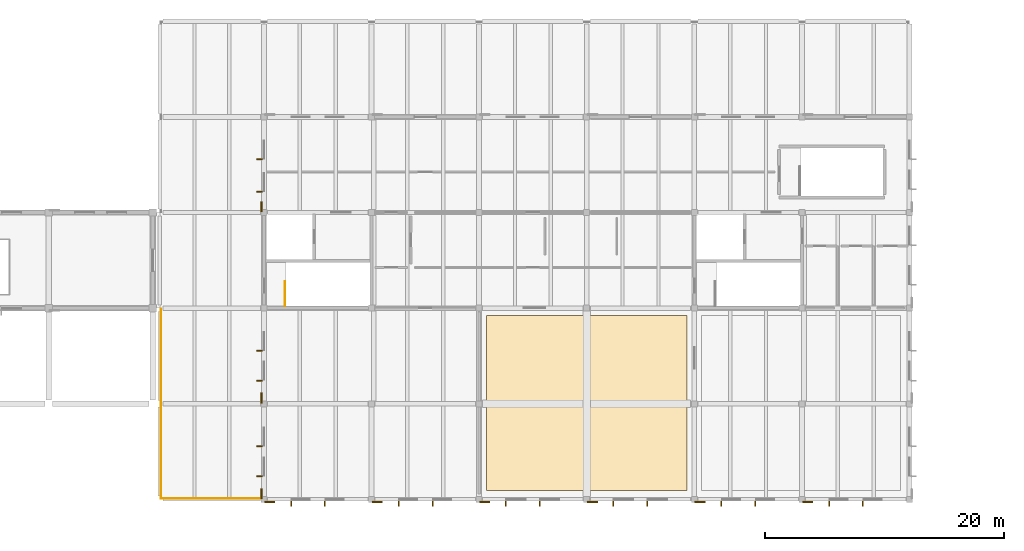
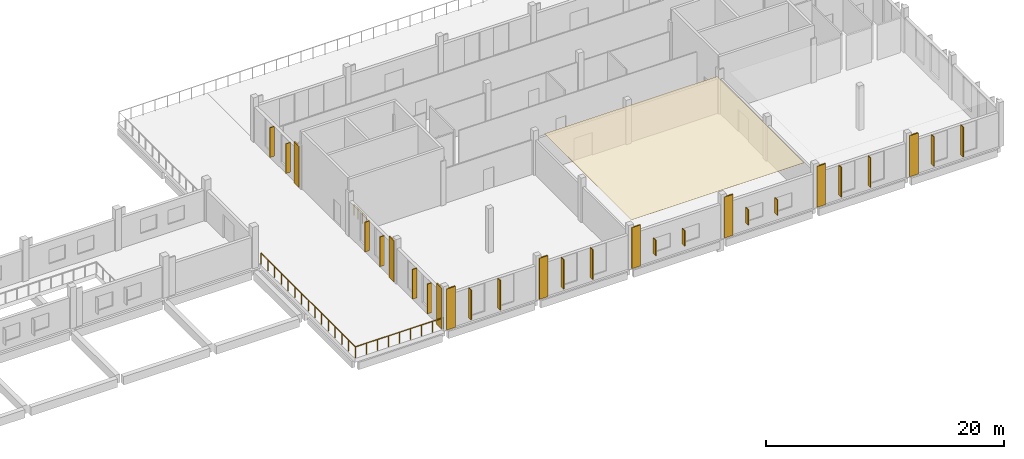
# One storey, part 21 of 25: 18 shading devices, 10 coverings, 2 railings.
"""IFC4 building model written with IfcOpenShell, lengths in metres."""

from ifc_helpers import new_model, si_unit, direction, frame, origin, origin_2d, place, context, subcontext, project, spatial, polyline, rectangle, circle, outline, extrude, material, layer, layer_set, type_object, element, save


model = new_model("IFC4")

# Units and contexts
model_context = context("Model", 3, precision=1e-05, world=origin(), true_north=direction((0.0, 1.0)))
body_context = subcontext(model_context, "Body", "Model", "MODEL_VIEW")
ifc_project = project(units=[si_unit("LENGTHUNIT", "METRE"), si_unit("AREAUNIT", "SQUARE_METRE"), si_unit("VOLUMEUNIT", "CUBIC_METRE"), si_unit("PLANEANGLEUNIT", "RADIAN"), si_unit("MASSUNIT", "GRAM", prefix="KILO")], contexts=[model_context])

# Site, building, storey
site_placement = place(None, origin())
site = spatial("IfcSite", under=ifc_project, at=site_placement, CompositionType="ELEMENT")
building_placement = place(site_placement, origin())
building = spatial("IfcBuilding", under=site, at=building_placement, Name="Zacnel Wholesale Market", CompositionType="ELEMENT")
storey_placement = place(building_placement, frame((0.0, 0.0, 15.75)))
storey = spatial("IfcBuildingStorey", under=building, at=storey_placement, Name="L04", CompositionType="ELEMENT", Elevation=15.75)

# Coverings
ifc_material_1 = material(Name="Micro-perforated acoustic gypsum ceiling")
ifc_layer_1 = layer(ifc_material_1, 0.02001953125)
ifc_layer_set_1 = layer_set([ifc_layer_1], Name="Micro-perforated acoustic gypsum ceiling")
covering_type_1 = type_object("IfcCoveringType", Name="COV-CEIL-AC-20", PredefinedType="CEILING", material=ifc_layer_set_1)
covering_placement = place(storey_placement, frame((0.0, 0.0, 4.2099609375)))
element("IfcCovering", 1, at=covering_placement, inside=storey, type_object=covering_type_1, Name="Acoustic ceiling L04-503", PredefinedType="CEILING", context=body_context, shape_type="SweptSolid", body=[
    extrude(outline(polyline([(171.60009765625, 0.75), (188.39990234375, 0.75), (188.39990234375, 15.39990234375), (171.60009765625, 15.39990234375), (171.60009765625, 0.75)])), origin(), (0.0, 0.0, 1.0), 0.02001953125),
])
ifc_material_2 = material(Name="Honed Yucatan Maya cream limestone", Category="masonry")
ifc_layer_2 = layer(ifc_material_2, 0.090087890625)
ifc_layer_set_2 = layer_set([ifc_layer_2], Name="Honed Yucatan Maya cream limestone")
covering_type_2 = type_object("IfcCoveringType", Name="COV-CLAD-FRET", PredefinedType="CLADDING", material=ifc_layer_set_2)
for number, where, z_axis, x_axis, name in (
    (2, (153.47998046875, -0.2099609375, 0.02001953125), (0.0, 0.0, 1.0), (1.0, 0.0, 0.0), "Fluted Mayan-Deco limestone pilaster L04-0259"),
    (3, (162.47998046875, -0.2099609375, 0.02001953125), (0.0, 0.0, 1.0), (1.0, 0.0, 0.0), "Fluted Mayan-Deco limestone pilaster L04-0260"),
    (4, (171.47998046875, -0.2099609375, 0.02001953125), (0.0, 0.0, 1.0), (1.0, 0.0, 0.0), "Fluted Mayan-Deco limestone pilaster L04-0261"),
    (5, (180.47998046875, -0.2099609375, 0.02001953125), (0.0, 0.0, 1.0), (1.0, 0.0, 0.0), "Fluted Mayan-Deco limestone pilaster L04-0262"),
    (6, (189.47998046875, -0.2099609375, 0.02001953125), (0.0, 0.0, 1.0), (1.0, 0.0, 0.0), "Fluted Mayan-Deco limestone pilaster L04-0263"),
    (7, (198.47998046875, -0.2099609375, 0.02001953125), (0.0, 0.0, 1.0), (1.0, 0.0, 0.0), "Fluted Mayan-Deco limestone pilaster L04-0264"),
    (8, (152.7900390625, 0.47998046875, 0.02001953125), (0.0, 0.0, 1.0), (0.0, 1.0, 0.0), "Fluted Mayan-Deco limestone pilaster L04-0271"),
    (9, (152.7900390625, 8.47998046875, 0.02001953125), (0.0, 0.0, 1.0), (0.0, 1.0, 0.0), "Fluted Mayan-Deco limestone pilaster L04-0272"),
    (10, (152.7900390625, 24.47998046875, 0.02001953125), (0.0, 0.0, 1.0), (0.0, 1.0, 0.0), "Fluted Mayan-Deco limestone pilaster L04-0273"),
):
    element("IfcCovering", number, at=place(storey_placement, frame(where, z_axis=z_axis, x_axis=x_axis)), inside=storey, type_object=covering_type_2, Name=name, PredefinedType="CLADDING", context=body_context, shape_type="SweptSolid", body=[
        extrude(rectangle(XDim=0.85009765625, YDim=0.1201171875, at=origin_2d()), origin(), (0.0, 0.0, 1.0), 4.2099609375),
    ])

# Railings
ifc_material_3 = material(Name="Galvanized steel", Category="steel")
railing_type_1 = type_object("IfcRailingType", Name="RAL-STAIR-GD1150", PredefinedType="BALUSTRADE", material=ifc_material_3)
railing_1_placement = place(storey_placement, frame((154.75, 16.18994140625, 0.0)))
element("IfcRailing", 11, at=railing_1_placement, inside=storey, type_object=railing_type_1, Name="Stair balustrade INT-STAIR-ST-03-GDWELL-1", PredefinedType="BALUSTRADE", context=body_context, shape_type="SweptSolid", body=[
    extrude(circle(Radius=0.02392578125, at=origin_2d()), frame((0.0, 0.0, 1.1259765625), z_axis=(0.0, 1.0, 0.0), x_axis=(-1.0, 0.0, 0.0)), (0.0, 0.0, 1.0), 2.06005859375),
    extrude(circle(Radius=0.02099609375, at=origin_2d()), origin(), (0.0, 0.0, 1.0), 1.101806640625),
    extrude(circle(Radius=0.02099609375, at=origin_2d()), frame((0.0, 0.686767578125, 0.0)), (0.0, 0.0, 1.0), 1.101806640625),
    extrude(circle(Radius=0.02099609375, at=origin_2d()), frame((0.0, 1.373291015625, 0.0)), (0.0, 0.0, 1.0), 1.101806640625),
    extrude(circle(Radius=0.02099609375, at=origin_2d()), frame((0.0, 2.06005859375, 0.0)), (0.0, 0.0, 1.0), 1.101806640625),
])
ifc_material_4 = material(Name="Steel S355", Category="steel")
ifc_layer_3 = layer(ifc_material_4, 0.080078125)
ifc_layer_set_3 = layer_set([ifc_layer_3], Name="Steel S355")
railing_type_2 = type_object("IfcRailingType", Name="RL-BAL-1150", PredefinedType="BALUSTRADE", material=ifc_layer_set_3)
railing_2_placement = place(storey_placement, frame((152.949951171875, 0.080078125, 0.0)))
element("IfcRailing", 12, at=railing_2_placement, inside=storey, type_object=railing_type_2, Name="Terrace safety balustrade GD-L04-V5-PERIM-S", PredefinedType="BALUSTRADE", context=body_context, shape_type="SweptSolid", body=[
    extrude(circle(Radius=0.02392578125, at=origin_2d()), frame((0.0, 0.0, 1.1259765625), z_axis=(-1.0, 0.0, 0.0), x_axis=(0.0, -1.0, 0.0)), (0.0, 0.0, 1.0), 8.570068359375),
    extrude(circle(Radius=0.02392578125, at=origin_2d()), frame((-8.570068359375, 0.0, 1.1259765625), z_axis=(0.0, 1.0, 0.0), x_axis=(-1.0, 0.0, 0.0)), (0.0, 0.0, 1.0), 15.869873046875),
    extrude(circle(Radius=0.02099609375, at=origin_2d()), origin(), (0.0, 0.0, 1.0), 1.101806640625),
    extrude(circle(Radius=0.02099609375, at=origin_2d()), frame((-1.0712890625, 0.0, 0.0)), (0.0, 0.0, 1.0), 1.101806640625),
    extrude(circle(Radius=0.02099609375, at=origin_2d()), frame((-2.142578125, 0.0, 0.0)), (0.0, 0.0, 1.0), 1.101806640625),
    extrude(circle(Radius=0.02099609375, at=origin_2d()), frame((-3.2138671875, 0.0, 0.0)), (0.0, 0.0, 1.0), 1.101806640625),
    extrude(circle(Radius=0.02099609375, at=origin_2d()), frame((-4.28515625, 0.0, 0.0)), (0.0, 0.0, 1.0), 1.101806640625),
    extrude(circle(Radius=0.02099609375, at=origin_2d()), frame((-5.356201171875, 0.0, 0.0)), (0.0, 0.0, 1.0), 1.101806640625),
    extrude(circle(Radius=0.02099609375, at=origin_2d()), frame((-6.427490234375, 0.0, 0.0)), (0.0, 0.0, 1.0), 1.101806640625),
    extrude(circle(Radius=0.02099609375, at=origin_2d()), frame((-7.498779296875, 0.0, 0.0)), (0.0, 0.0, 1.0), 1.101806640625),
    extrude(circle(Radius=0.02099609375, at=origin_2d()), frame((-8.570068359375, 0.0, 0.0)), (0.0, 0.0, 1.0), 1.101806640625),
    extrude(circle(Radius=0.02099609375, at=origin_2d()), frame((-8.570068359375, 1.133544921875, 0.0)), (0.0, 0.0, 1.0), 1.101806640625),
    extrude(circle(Radius=0.02099609375, at=origin_2d()), frame((-8.570068359375, 2.26708984375, 0.0)), (0.0, 0.0, 1.0), 1.101806640625),
    extrude(circle(Radius=0.02099609375, at=origin_2d()), frame((-8.570068359375, 3.400634765625, 0.0)), (0.0, 0.0, 1.0), 1.101806640625),
    extrude(circle(Radius=0.02099609375, at=origin_2d()), frame((-8.570068359375, 4.5341796875, 0.0)), (0.0, 0.0, 1.0), 1.101806640625),
    extrude(circle(Radius=0.02099609375, at=origin_2d()), frame((-8.570068359375, 5.667724609375, 0.0)), (0.0, 0.0, 1.0), 1.101806640625),
    extrude(circle(Radius=0.02099609375, at=origin_2d()), frame((-8.570068359375, 6.80126953125, 0.0)), (0.0, 0.0, 1.0), 1.101806640625),
    extrude(circle(Radius=0.02099609375, at=origin_2d()), frame((-8.570068359375, 7.93505859375, 0.0)), (0.0, 0.0, 1.0), 1.101806640625),
    extrude(circle(Radius=0.02099609375, at=origin_2d()), frame((-8.570068359375, 9.068603515625, 0.0)), (0.0, 0.0, 1.0), 1.101806640625),
    extrude(circle(Radius=0.02099609375, at=origin_2d()), frame((-8.570068359375, 10.2021484375, 0.0)), (0.0, 0.0, 1.0), 1.101806640625),
    extrude(circle(Radius=0.02099609375, at=origin_2d()), frame((-8.570068359375, 11.335693359375, 0.0)), (0.0, 0.0, 1.0), 1.101806640625),
    extrude(circle(Radius=0.02099609375, at=origin_2d()), frame((-8.570068359375, 12.46923828125, 0.0)), (0.0, 0.0, 1.0), 1.101806640625),
    extrude(circle(Radius=0.02099609375, at=origin_2d()), frame((-8.570068359375, 13.602783203125, 0.0)), (0.0, 0.0, 1.0), 1.101806640625),
    extrude(circle(Radius=0.02099609375, at=origin_2d()), frame((-8.570068359375, 14.736328125, 0.0)), (0.0, 0.0, 1.0), 1.101806640625),
    extrude(circle(Radius=0.02099609375, at=origin_2d()), frame((-8.570068359375, 15.869873046875, 0.0)), (0.0, 0.0, 1.0), 1.101806640625),
])

# Shading devices
ifc_material_5 = material(Name="Honed Yucatan Maya cream limestone", Category="masonry")
shading_device_type = type_object("IfcShadingDeviceType", Name="SHD-FIN-V450", PredefinedType="USERDEFINED", material=ifc_material_5)
for number, where, z_axis, x_axis, name in (
    (13, (155.27294921875, -0.360107421875, 0.48486328125), (0.0, 0.0, 1.0), (1.0, 0.0, 0.0), "Limestone sunshade fin 0305"),
    (14, (158.10693359375, -0.360107421875, 0.48486328125), (0.0, 0.0, 1.0), (1.0, 0.0, 0.0), "Limestone sunshade fin 0306"),
    (15, (164.27294921875, -0.360107421875, 0.48486328125), (0.0, 0.0, 1.0), (1.0, 0.0, 0.0), "Limestone sunshade fin 0307"),
    (16, (167.10693359375, -0.360107421875, 0.48486328125), (0.0, 0.0, 1.0), (1.0, 0.0, 0.0), "Limestone sunshade fin 0308"),
):
    element("IfcShadingDevice", number, at=place(storey_placement, frame(where, z_axis=z_axis, x_axis=x_axis)), inside=storey, type_object=shading_device_type, Name=name, ObjectType="SUNSHADE", PredefinedType="USERDEFINED", context=body_context, shape_type="SweptSolid", body=[
        extrude(rectangle(XDim=0.080078125, YDim=0.43994140625, at=origin_2d()), origin(), (0.0, 0.0, 1.0), 3.050048828125),
    ])
for number, where, z_axis, x_axis, name in (
    (17, (173.222900390625, -0.360107421875, 0.77490234375), (0.0, 0.0, 1.0), (1.0, 0.0, 0.0), "Limestone sunshade fin 0309"),
    (18, (176.056884765625, -0.360107421875, 0.77490234375), (0.0, 0.0, 1.0), (1.0, 0.0, 0.0), "Limestone sunshade fin 0310"),
    (19, (182.222900390625, -0.360107421875, 0.77490234375), (0.0, 0.0, 1.0), (1.0, 0.0, 0.0), "Limestone sunshade fin 0311"),
    (20, (185.056884765625, -0.360107421875, 0.77490234375), (0.0, 0.0, 1.0), (1.0, 0.0, 0.0), "Limestone sunshade fin 0312"),
):
    element("IfcShadingDevice", number, at=place(storey_placement, frame(where, z_axis=z_axis, x_axis=x_axis)), inside=storey, type_object=shading_device_type, Name=name, ObjectType="SUNSHADE", PredefinedType="USERDEFINED", context=body_context, shape_type="SweptSolid", body=[
        extrude(rectangle(XDim=0.080078125, YDim=0.43994140625, at=origin_2d()), origin(), (0.0, 0.0, 1.0), 1.60009765625),
    ])
for number, where, z_axis, x_axis, name in (
    (21, (191.27294921875, -0.360107421875, 0.48486328125), (0.0, 0.0, 1.0), (1.0, 0.0, 0.0), "Limestone sunshade fin 0313"),
    (22, (194.10693359375, -0.360107421875, 0.48486328125), (0.0, 0.0, 1.0), (1.0, 0.0, 0.0), "Limestone sunshade fin 0314"),
    (23, (200.27294921875, -0.360107421875, 0.48486328125), (0.0, 0.0, 1.0), (1.0, 0.0, 0.0), "Limestone sunshade fin 0315"),
    (24, (203.10693359375, -0.360107421875, 0.48486328125), (0.0, 0.0, 1.0), (1.0, 0.0, 0.0), "Limestone sunshade fin 0316"),
    (25, (152.639892578125, 1.93994140625, 0.5849609375), (0.0, 0.0, 1.0), (0.0, 1.0, 0.0), "Limestone sunshade fin 0317"),
    (26, (152.639892578125, 4.43994140625, 0.5849609375), (0.0, 0.0, 1.0), (0.0, 1.0, 0.0), "Limestone sunshade fin 0318"),
    (27, (152.639892578125, 9.93994140625, 0.5849609375), (0.0, 0.0, 1.0), (0.0, 1.0, 0.0), "Limestone sunshade fin 0319"),
    (28, (152.639892578125, 12.43994140625, 0.5849609375), (0.0, 0.0, 1.0), (0.0, 1.0, 0.0), "Limestone sunshade fin 0320"),
    (29, (152.639892578125, 25.72705078125, 0.5849609375), (0.0, 0.0, 1.0), (0.0, 1.0, 0.0), "Limestone sunshade fin 0321"),
    (30, (152.639892578125, 28.43994140625, 0.5849609375), (0.0, 0.0, 1.0), (0.0, 1.0, 0.0), "Limestone sunshade fin 0322"),
):
    element("IfcShadingDevice", number, at=place(storey_placement, frame(where, z_axis=z_axis, x_axis=x_axis)), inside=storey, type_object=shading_device_type, Name=name, ObjectType="SUNSHADE", PredefinedType="USERDEFINED", context=body_context, shape_type="SweptSolid", body=[
        extrude(rectangle(XDim=0.080078125, YDim=0.43994140625, at=origin_2d()), origin(), (0.0, 0.0, 1.0), 3.050048828125),
    ])

save(model, "model.ifc")
